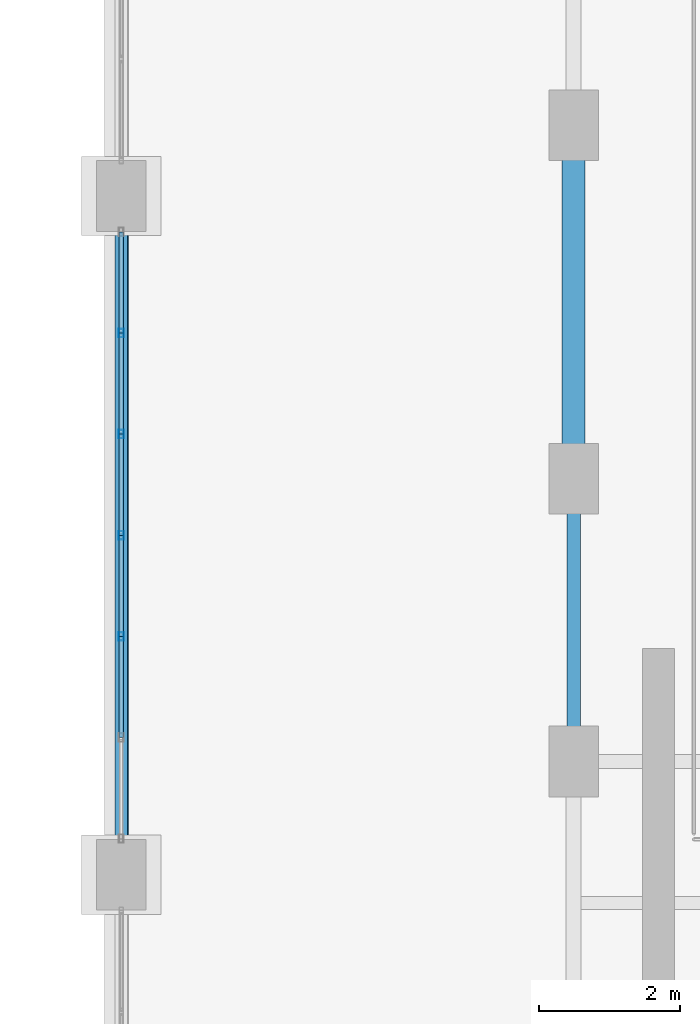
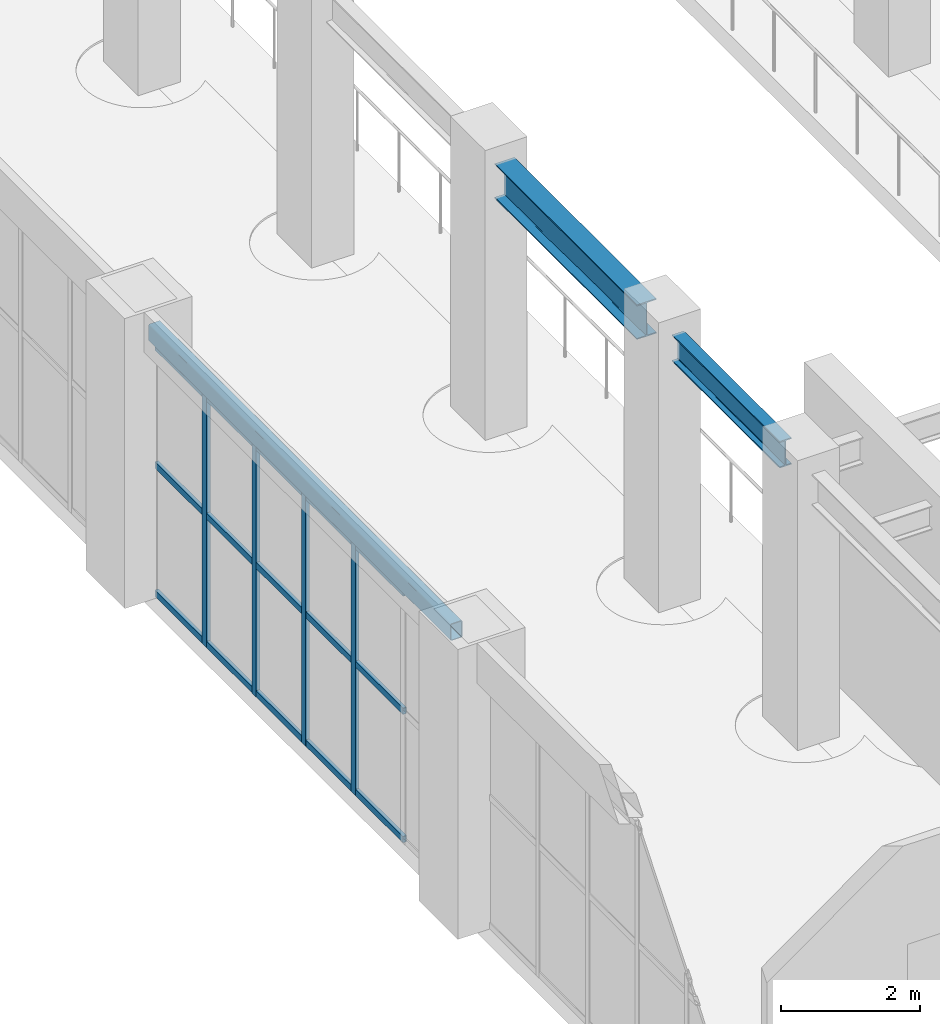
# One storey, part 61 of 174: 19 members, 3 beams, 1 element without a shape of its own.
"""IFC4 building model written with IfcOpenShell, lengths in metres."""

from ifc_helpers import new_model, si_unit, direction, frame, origin, origin_2d, place, context, subcontext, project, spatial, hollow_rectangle, i_section, extrude, material, material_profile, profile_set, type_object, element, aggregate, save


model = new_model("IFC4")

# Units and contexts
model_context = context("Model", 3, precision=1e-05, world=origin(), true_north=direction((0.0, 1.0)))
body_context = subcontext(model_context, "Body", "Model", "MODEL_VIEW")
ifc_project = project(units=[si_unit("LENGTHUNIT", "METRE"), si_unit("AREAUNIT", "SQUARE_METRE"), si_unit("VOLUMEUNIT", "CUBIC_METRE"), si_unit("PLANEANGLEUNIT", "RADIAN"), si_unit("MASSUNIT", "GRAM", prefix="KILO")], contexts=[model_context])

# Site, building, storey
site_placement = place(None, origin())
site = spatial("IfcSite", under=ifc_project, at=site_placement, CompositionType="ELEMENT")
building_placement = place(site_placement, origin())
building = spatial("IfcBuilding", under=site, at=building_placement, Name="Mavantir Sound Aquarium", CompositionType="ELEMENT")
storey_placement = place(building_placement, frame((0.0, 0.0, 5.39990234375)))
storey = spatial("IfcBuildingStorey", under=building, at=storey_placement, Name="L01", CompositionType="ELEMENT", Elevation=5.39990234375)

# Beams
ifc_material_1 = material(Name="Hollow Structural Steel ASTM A500 GrC", Category="steel")
ifc_material_profile_1 = material_profile(ifc_material_1, hollow_rectangle(XDim=0.199951171875, YDim=0.300048828125, WallThickness=0.012451171875, InnerFilletRadius=0.012451171875, OuterFilletRadius=0.02490234375, at=origin_2d()), Name="RHS 300X200X12.5")
ifc_profile_set_1 = profile_set([ifc_material_profile_1], Name="Hollow Structural Steel ASTM A500 GrC")
beam_type_1 = type_object("IfcBeamType", Name="BM-RHS300-E", PredefinedType="SPANDREL", material=ifc_profile_set_1)
beam_1_placement = place(storey_placement, frame((101.60009765625, 55.64990234375, 4.6259765625), z_axis=(0.0, 1.0, 0.0), x_axis=(-1.0, 0.0, 0.0)))
element("IfcBeam", 1, at=beam_1_placement, inside=storey, type_object=beam_type_1, Name="L01 primary girder SS-R30 1285", PredefinedType="SPANDREL", context=body_context, shape_type="SweptSolid", body=[
    extrude(hollow_rectangle(XDim=0.199951171875, YDim=0.300048828125, WallThickness=0.012451171875, InnerFilletRadius=0.012451171875, OuterFilletRadius=0.02490234375, at=origin_2d()), origin(), (0.0, 0.0, 1.0), 8.7001953125),
])
ifc_material_2 = material(Name="Structural Steel ASTM A992 Gr50", Category="steel")
ifc_material_profile_2 = material_profile(ifc_material_2, i_section(OverallWidth=0.194091796875, OverallDepth=0.468994140625, WebThickness=0.0126953125, FlangeThickness=0.0205078125, FilletRadius=0.01611328125, at=origin_2d()), Name="W460X106")
ifc_profile_set_2 = profile_set([ifc_material_profile_2], Name="Structural Steel ASTM A992 Gr50")
beam_type_2 = type_object("IfcBeamType", Name="BM-W460X106-I", PredefinedType="BEAM", material=ifc_profile_set_2)
beam_2_placement = place(storey_placement, frame((108.0, 57.25, 4.54150390625), z_axis=(0.0, 1.0, 0.0), x_axis=(-1.0, 0.0, 0.0)))
element("IfcBeam", 2, at=beam_2_placement, inside=storey, type_object=beam_type_2, Name="L01 primary girder SB-46 1293", PredefinedType="BEAM", context=body_context, shape_type="SweptSolid", body=[
    extrude(i_section(OverallWidth=0.194091796875, OverallDepth=0.468994140625, WebThickness=0.0126953125, FlangeThickness=0.0205078125, FilletRadius=0.01611328125, at=origin_2d()), origin(), (0.0, 0.0, 1.0), 3.10009765625),
])
ifc_material_profile_3 = material_profile(ifc_material_2, i_section(OverallWidth=0.323974609375, OverallDepth=0.611083984375, WebThickness=0.0126953125, FlangeThickness=0.01904296875, FilletRadius=0.01904296875, at=origin_2d()), Name="W610X155")
ifc_profile_set_3 = profile_set([ifc_material_profile_3], Name="Structural Steel ASTM A992 Gr50")
beam_type_3 = type_object("IfcBeamType", Name="BM-W610X155-I", PredefinedType="BEAM", material=ifc_profile_set_3)
beam_3_placement = place(storey_placement, frame((108.0, 61.25, 4.470703125), z_axis=(0.0, 1.0, 0.0), x_axis=(-1.0, 0.0, 0.0)))
element("IfcBeam", 3, at=beam_3_placement, inside=storey, type_object=beam_type_3, Name="L01 primary girder SB-61A 1294", PredefinedType="BEAM", context=body_context, shape_type="SweptSolid", body=[
    extrude(i_section(OverallWidth=0.323974609375, OverallDepth=0.611083984375, WebThickness=0.0126953125, FlangeThickness=0.01904296875, FilletRadius=0.01904296875, at=origin_2d()), origin(), (0.0, 0.0, 1.0), 4.10009765625),
])

# Curtain wall, members
ifc_material_3 = material(Name="Anodised Marine Aluminium and Low-E Glass", Category="aluminium")
curtain_wall_type = type_object("IfcCurtainWallType", Name="CW-T22", PredefinedType="USERDEFINED", material=ifc_material_3)
curtain_wall_placement = place(storey_placement, origin())
curtain_wall = element("IfcCurtainWall", 4, at=curtain_wall_placement, inside=storey, type_object=curtain_wall_type, Name="L01 unitised curtain wall CW-22 94", ObjectType="UNITISED GLAZING", PredefinedType="USERDEFINED")
ifc_material_4 = material(Name="Anodised Marine Aluminium 6063-T6", Category="aluminium")
ifc_material_profile_4 = material_profile(ifc_material_4, hollow_rectangle(XDim=0.06494140625, YDim=0.1201171875, WallThickness=0.00390625, at=origin_2d()), Name="ALU-MULLION-120X65")
ifc_profile_set_4 = profile_set([ifc_material_profile_4], Name="Anodised Marine Aluminium 6063-T6")
member_type_1 = type_object("IfcMemberType", Name="CW-MUL-120", PredefinedType="MULLION", material=ifc_profile_set_4)
member_1_placement = place(storey_placement, frame((101.60009765625, 62.861328125, 0.0), z_axis=(0.0, 0.0, 1.0), x_axis=(1.0, 0.0, 0.0)))
member_1 = element("IfcMember", 5, at=member_1_placement, type_object=member_type_1, Name="CW-L01-094 vertical mullion 2", PredefinedType="MULLION", context=body_context, shape_type="SweptSolid", body=[
    extrude(hollow_rectangle(XDim=0.06494140625, YDim=0.1201171875, WallThickness=0.00390625, at=origin_2d()), origin(), (0.0, 0.0, 1.0), 4.446044921875),
])
member_2_placement = place(storey_placement, frame((101.60009765625, 61.4306640625, 0.0), z_axis=(0.0, 0.0, 1.0), x_axis=(1.0, 0.0, 0.0)))
member_2 = element("IfcMember", 6, at=member_2_placement, type_object=member_type_1, Name="CW-L01-094 vertical mullion 3", PredefinedType="MULLION", context=body_context, shape_type="SweptSolid", body=[
    extrude(hollow_rectangle(XDim=0.06494140625, YDim=0.1201171875, WallThickness=0.00390625, at=origin_2d()), origin(), (0.0, 0.0, 1.0), 4.446044921875),
])
member_3_placement = place(storey_placement, frame((101.60009765625, 60.0, 0.0), z_axis=(0.0, 0.0, 1.0), x_axis=(1.0, 0.0, 0.0)))
member_3 = element("IfcMember", 7, at=member_3_placement, type_object=member_type_1, Name="CW-L01-094 vertical mullion 4", PredefinedType="MULLION", context=body_context, shape_type="SweptSolid", body=[
    extrude(hollow_rectangle(XDim=0.06494140625, YDim=0.1201171875, WallThickness=0.00390625, at=origin_2d()), origin(), (0.0, 0.0, 1.0), 4.446044921875),
])
member_4_placement = place(storey_placement, frame((101.60009765625, 58.5693359375, 0.0), z_axis=(0.0, 0.0, 1.0), x_axis=(1.0, 0.0, 0.0)))
member_4 = element("IfcMember", 8, at=member_4_placement, type_object=member_type_1, Name="CW-L01-094 vertical mullion 5", PredefinedType="MULLION", context=body_context, shape_type="SweptSolid", body=[
    extrude(hollow_rectangle(XDim=0.06494140625, YDim=0.1201171875, WallThickness=0.00390625, at=origin_2d()), origin(), (0.0, 0.0, 1.0), 4.446044921875),
])
ifc_material_profile_5 = material_profile(ifc_material_4, hollow_rectangle(XDim=0.06005859375, YDim=0.110107421875, WallThickness=0.00390625, at=origin_2d()), Name="ALU-TRANSOM-110X60")
ifc_profile_set_5 = profile_set([ifc_material_profile_5], Name="Anodised Marine Aluminium 6063-T6")
member_type_2 = type_object("IfcMemberType", Name="CW-TRN-110", PredefinedType="USERDEFINED", material=ifc_profile_set_5)
member_5_placement = place(storey_placement, frame((101.60009765625, 64.2919921875, 0.05517578125), z_axis=(0.0, -1.0, 0.0), x_axis=(1.0, 0.0, 0.0)))
member_5 = element("IfcMember", 9, at=member_5_placement, type_object=member_type_2, Name="CW-L01-094 transom 1.1", ObjectType="TRANSOM", PredefinedType="USERDEFINED", context=body_context, shape_type="SweptSolid", body=[
    extrude(hollow_rectangle(XDim=0.06005859375, YDim=0.110107421875, WallThickness=0.00390625, at=origin_2d()), origin(), (0.0, 0.0, 1.0), 1.4306640625),
])
member_6_placement = place(storey_placement, frame((101.60009765625, 64.2919921875, 2.31201171875), z_axis=(0.0, -1.0, 0.0), x_axis=(1.0, 0.0, 0.0)))
member_6 = element("IfcMember", 10, at=member_6_placement, type_object=member_type_2, Name="CW-L01-094 transom 1.2", ObjectType="TRANSOM", PredefinedType="USERDEFINED", context=body_context, shape_type="SweptSolid", body=[
    extrude(hollow_rectangle(XDim=0.06005859375, YDim=0.110107421875, WallThickness=0.00390625, at=origin_2d()), origin(), (0.0, 0.0, 1.0), 1.4306640625),
])
member_7_placement = place(storey_placement, frame((101.60009765625, 64.2919921875, 4.39111328125), z_axis=(0.0, -1.0, 0.0), x_axis=(1.0, 0.0, 0.0)))
member_7 = element("IfcMember", 11, at=member_7_placement, type_object=member_type_2, Name="CW-L01-094 transom 1.3", ObjectType="TRANSOM", PredefinedType="USERDEFINED", context=body_context, shape_type="SweptSolid", body=[
    extrude(hollow_rectangle(XDim=0.06005859375, YDim=0.110107421875, WallThickness=0.00390625, at=origin_2d()), origin(), (0.0, 0.0, 1.0), 1.4306640625),
])
member_8_placement = place(storey_placement, frame((101.60009765625, 62.861328125, 0.05517578125), z_axis=(0.0, -1.0, 0.0), x_axis=(1.0, 0.0, 0.0)))
member_8 = element("IfcMember", 12, at=member_8_placement, type_object=member_type_2, Name="CW-L01-094 transom 2.1", ObjectType="TRANSOM", PredefinedType="USERDEFINED", context=body_context, shape_type="SweptSolid", body=[
    extrude(hollow_rectangle(XDim=0.06005859375, YDim=0.110107421875, WallThickness=0.00390625, at=origin_2d()), origin(), (0.0, 0.0, 1.0), 1.4306640625),
])
member_9_placement = place(storey_placement, frame((101.60009765625, 62.861328125, 2.31201171875), z_axis=(0.0, -1.0, 0.0), x_axis=(1.0, 0.0, 0.0)))
member_9 = element("IfcMember", 13, at=member_9_placement, type_object=member_type_2, Name="CW-L01-094 transom 2.2", ObjectType="TRANSOM", PredefinedType="USERDEFINED", context=body_context, shape_type="SweptSolid", body=[
    extrude(hollow_rectangle(XDim=0.06005859375, YDim=0.110107421875, WallThickness=0.00390625, at=origin_2d()), origin(), (0.0, 0.0, 1.0), 1.4306640625),
])
member_10_placement = place(storey_placement, frame((101.60009765625, 62.861328125, 4.39111328125), z_axis=(0.0, -1.0, 0.0), x_axis=(1.0, 0.0, 0.0)))
member_10 = element("IfcMember", 14, at=member_10_placement, type_object=member_type_2, Name="CW-L01-094 transom 2.3", ObjectType="TRANSOM", PredefinedType="USERDEFINED", context=body_context, shape_type="SweptSolid", body=[
    extrude(hollow_rectangle(XDim=0.06005859375, YDim=0.110107421875, WallThickness=0.00390625, at=origin_2d()), origin(), (0.0, 0.0, 1.0), 1.4306640625),
])
member_11_placement = place(storey_placement, frame((101.60009765625, 61.4306640625, 0.05517578125), z_axis=(0.0, -1.0, 0.0), x_axis=(1.0, 0.0, 0.0)))
member_11 = element("IfcMember", 15, at=member_11_placement, type_object=member_type_2, Name="CW-L01-094 transom 3.1", ObjectType="TRANSOM", PredefinedType="USERDEFINED", context=body_context, shape_type="SweptSolid", body=[
    extrude(hollow_rectangle(XDim=0.06005859375, YDim=0.110107421875, WallThickness=0.00390625, at=origin_2d()), origin(), (0.0, 0.0, 1.0), 1.4306640625),
])
member_12_placement = place(storey_placement, frame((101.60009765625, 61.4306640625, 2.31201171875), z_axis=(0.0, -1.0, 0.0), x_axis=(1.0, 0.0, 0.0)))
member_12 = element("IfcMember", 16, at=member_12_placement, type_object=member_type_2, Name="CW-L01-094 transom 3.2", ObjectType="TRANSOM", PredefinedType="USERDEFINED", context=body_context, shape_type="SweptSolid", body=[
    extrude(hollow_rectangle(XDim=0.06005859375, YDim=0.110107421875, WallThickness=0.00390625, at=origin_2d()), origin(), (0.0, 0.0, 1.0), 1.4306640625),
])
member_13_placement = place(storey_placement, frame((101.60009765625, 61.4306640625, 4.39111328125), z_axis=(0.0, -1.0, 0.0), x_axis=(1.0, 0.0, 0.0)))
member_13 = element("IfcMember", 17, at=member_13_placement, type_object=member_type_2, Name="CW-L01-094 transom 3.3", ObjectType="TRANSOM", PredefinedType="USERDEFINED", context=body_context, shape_type="SweptSolid", body=[
    extrude(hollow_rectangle(XDim=0.06005859375, YDim=0.110107421875, WallThickness=0.00390625, at=origin_2d()), origin(), (0.0, 0.0, 1.0), 1.4306640625),
])
member_14_placement = place(storey_placement, frame((101.60009765625, 60.0, 0.05517578125), z_axis=(0.0, -1.0, 0.0), x_axis=(1.0, 0.0, 0.0)))
member_14 = element("IfcMember", 18, at=member_14_placement, type_object=member_type_2, Name="CW-L01-094 transom 4.1", ObjectType="TRANSOM", PredefinedType="USERDEFINED", context=body_context, shape_type="SweptSolid", body=[
    extrude(hollow_rectangle(XDim=0.06005859375, YDim=0.110107421875, WallThickness=0.00390625, at=origin_2d()), origin(), (0.0, 0.0, 1.0), 1.4306640625),
])
member_15_placement = place(storey_placement, frame((101.60009765625, 60.0, 2.31201171875), z_axis=(0.0, -1.0, 0.0), x_axis=(1.0, 0.0, 0.0)))
member_15 = element("IfcMember", 19, at=member_15_placement, type_object=member_type_2, Name="CW-L01-094 transom 4.2", ObjectType="TRANSOM", PredefinedType="USERDEFINED", context=body_context, shape_type="SweptSolid", body=[
    extrude(hollow_rectangle(XDim=0.06005859375, YDim=0.110107421875, WallThickness=0.00390625, at=origin_2d()), origin(), (0.0, 0.0, 1.0), 1.4306640625),
])
member_16_placement = place(storey_placement, frame((101.60009765625, 60.0, 4.39111328125), z_axis=(0.0, -1.0, 0.0), x_axis=(1.0, 0.0, 0.0)))
member_16 = element("IfcMember", 20, at=member_16_placement, type_object=member_type_2, Name="CW-L01-094 transom 4.3", ObjectType="TRANSOM", PredefinedType="USERDEFINED", context=body_context, shape_type="SweptSolid", body=[
    extrude(hollow_rectangle(XDim=0.06005859375, YDim=0.110107421875, WallThickness=0.00390625, at=origin_2d()), origin(), (0.0, 0.0, 1.0), 1.4306640625),
])
member_17_placement = place(storey_placement, frame((101.60009765625, 58.5693359375, 0.05517578125), z_axis=(0.0, -1.0, 0.0), x_axis=(1.0, 0.0, 0.0)))
member_17 = element("IfcMember", 21, at=member_17_placement, type_object=member_type_2, Name="CW-L01-094 transom 5.1", ObjectType="TRANSOM", PredefinedType="USERDEFINED", context=body_context, shape_type="SweptSolid", body=[
    extrude(hollow_rectangle(XDim=0.06005859375, YDim=0.110107421875, WallThickness=0.00390625, at=origin_2d()), origin(), (0.0, 0.0, 1.0), 1.4306640625),
])
member_18_placement = place(storey_placement, frame((101.60009765625, 58.5693359375, 2.31201171875), z_axis=(0.0, -1.0, 0.0), x_axis=(1.0, 0.0, 0.0)))
member_18 = element("IfcMember", 22, at=member_18_placement, type_object=member_type_2, Name="CW-L01-094 transom 5.2", ObjectType="TRANSOM", PredefinedType="USERDEFINED", context=body_context, shape_type="SweptSolid", body=[
    extrude(hollow_rectangle(XDim=0.06005859375, YDim=0.110107421875, WallThickness=0.00390625, at=origin_2d()), origin(), (0.0, 0.0, 1.0), 1.4306640625),
])
member_19_placement = place(storey_placement, frame((101.60009765625, 58.5693359375, 4.39111328125), z_axis=(0.0, -1.0, 0.0), x_axis=(1.0, 0.0, 0.0)))
member_19 = element("IfcMember", 23, at=member_19_placement, type_object=member_type_2, Name="CW-L01-094 transom 5.3", ObjectType="TRANSOM", PredefinedType="USERDEFINED", context=body_context, shape_type="SweptSolid", body=[
    extrude(hollow_rectangle(XDim=0.06005859375, YDim=0.110107421875, WallThickness=0.00390625, at=origin_2d()), origin(), (0.0, 0.0, 1.0), 1.4306640625),
])
aggregate(curtain_wall, [member_1, member_2, member_3, member_4, member_5, member_6, member_7, member_8, member_9, member_10, member_11, member_12, member_13, member_14, member_15, member_16, member_17, member_18, member_19])

save(model, "model.ifc")
